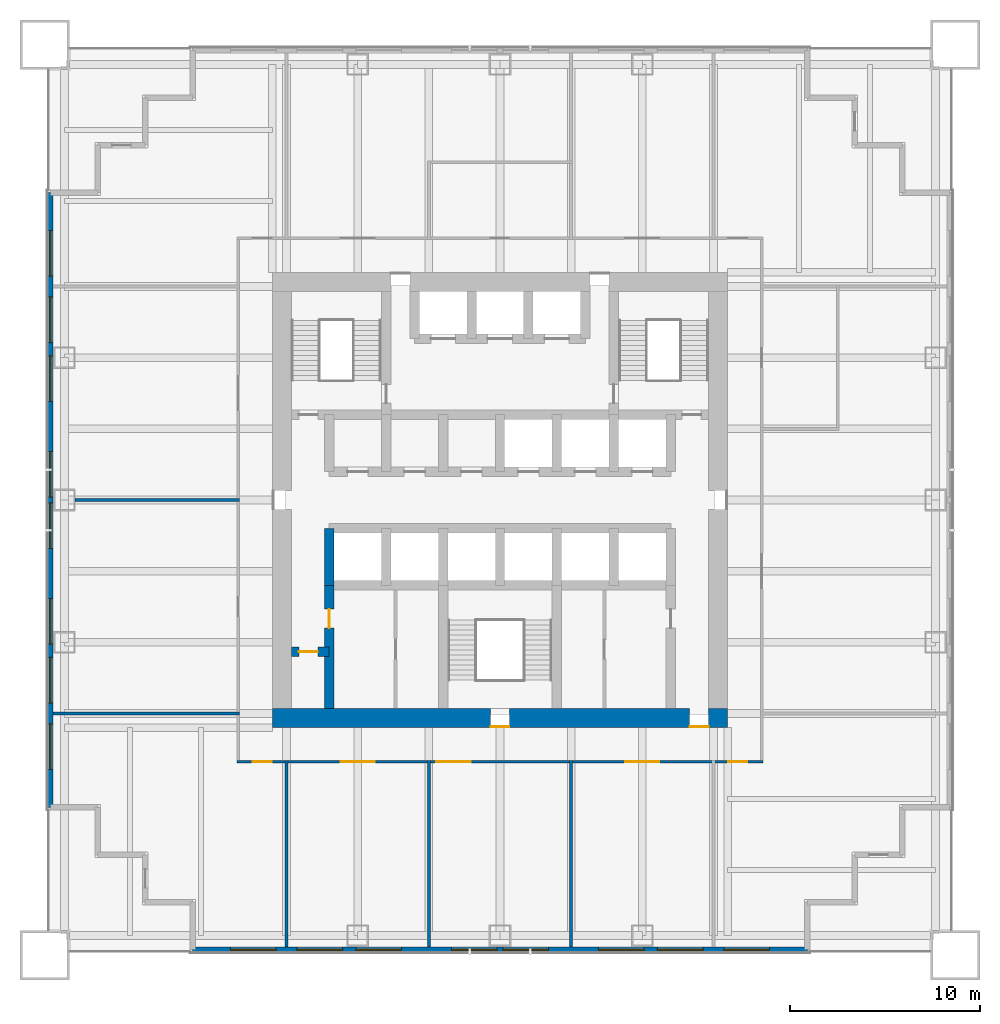
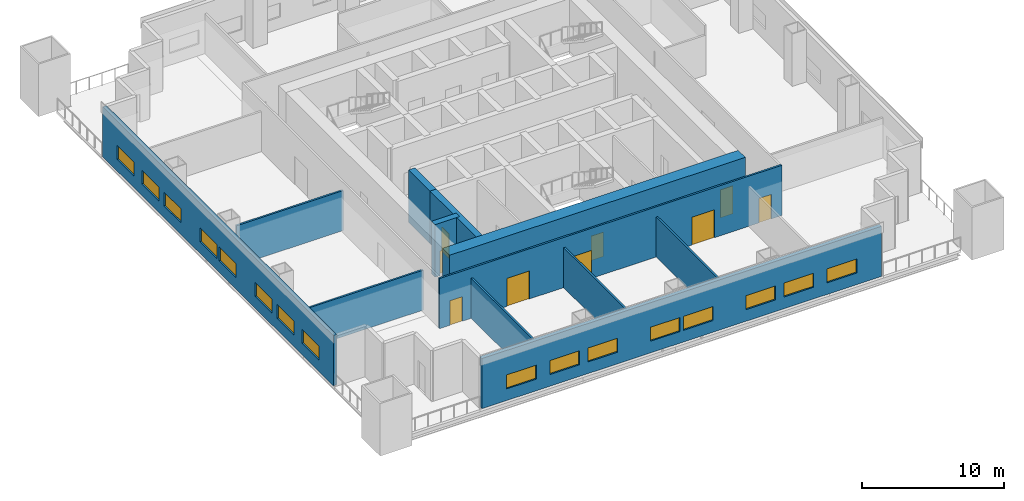
# One storey, part 2 of 7: 16 windows, 12 walls, 9 doors, 25 openings.
"""IFC4 building model written with IfcOpenShell, lengths in metres."""

from ifc_helpers import new_model, si_unit, direction, frame, frame_2d, origin, place, context, subcontext, project, spatial, rectangle, extrude, material, layer, layer_set, type_object, element, fill, save


model = new_model("IFC4")

# Units and contexts
model_context = context("Model", 3, precision=1e-05, world=origin(), true_north=direction((0.0, 1.0)))
body_context = subcontext(model_context, "Body", "Model", "MODEL_VIEW")
ifc_project = project(units=[si_unit("LENGTHUNIT", "METRE"), si_unit("AREAUNIT", "SQUARE_METRE"), si_unit("VOLUMEUNIT", "CUBIC_METRE"), si_unit("PLANEANGLEUNIT", "RADIAN"), si_unit("MASSUNIT", "GRAM", prefix="KILO")], contexts=[model_context])

# Site, building, storey
site_placement = place(None, origin())
site = spatial("IfcSite", under=ifc_project, at=site_placement, CompositionType="ELEMENT")
building_placement = place(site_placement, origin())
building = spatial("IfcBuilding", under=site, at=building_placement, Name="Tarangal Relay Tower", CompositionType="ELEMENT")
storey_placement = place(building_placement, frame((0.0, 0.0, 122.39990234375)))
storey = spatial("IfcBuildingStorey", under=building, at=storey_placement, Name="L24", CompositionType="ELEMENT", Elevation=122.39990234375)

# Wall, opening, door
ifc_material_1 = material(Name="Concrete fc' 60 MPa", Category="concrete")
ifc_layer_1 = layer(ifc_material_1, 0.5)
ifc_layer_set_1 = layer_set([ifc_layer_1], Name="Core inner wall 500")
wall_type_1 = type_object("IfcWallType", Name="Core inner wall 500", PredefinedType="SHEAR", material=ifc_layer_set_1)
wall_1_placement = place(storey_placement, frame((-11.0, -8.0, 0.0), z_axis=(0.0, 0.0, 1.0), x_axis=(1.0, 0.0, 0.0)))
wall_1 = element("IfcWall", 1, at=wall_1_placement, inside=storey, type_object=wall_type_1, Name="Core wall YM8 L24", PredefinedType="SHEAR", context=body_context, shape_type="SweptSolid", body=[
    extrude(rectangle(XDim=2.0, YDim=0.5, at=frame_2d((1.0, 0.0))), origin(), (0.0, 0.0, 1.0), 4.5),
])
opening_1_placement = place(wall_1_placement, frame((0.39990234375, 0.0, 0.0)))
opening_1 = element("IfcOpeningElement", 2, at=opening_1_placement, cuts=wall_1, Name="Opening D1", PredefinedType="OPENING", context=body_context, shape_type="SweptSolid", body=[
    extrude(rectangle(XDim=1.0, YDim=2.10009765625, at=frame_2d((0.5, 1.050048828125))), frame((0.0, 0.260009765625, 0.0), z_axis=(0.0, -1.0, 0.0), x_axis=(1.0, 0.0, 0.0)), (0.0, 0.0, 1.0), 0.52001953125),
])
ifc_material_2 = material(Name="Hardwood door", Category="wood")
door_type_1 = type_object("IfcDoorType", Name="WC door 1000 x 2100", OperationType="SINGLE_SWING_LEFT", PredefinedType="DOOR", material=ifc_material_2)
door_1_placement = place(opening_1_placement, origin())
door_1 = element("IfcDoor", 3, at=door_1_placement, inside=storey, type_object=door_type_1, Name="Accessible WC door L24", OperationType="SINGLE_SWING_LEFT", OverallHeight=2.10009765625, OverallWidth=1.0, PredefinedType="DOOR", context=body_context, shape_type="SweptSolid", body=[
    extrude(rectangle(XDim=1.0, YDim=2.10009765625, at=frame_2d((0.5, 1.050048828125))), frame((0.0, 0.02490234375, 0.0), z_axis=(0.0, -1.0, 0.0), x_axis=(1.0, 0.0, 0.0)), (0.0, 0.0, 1.0), 0.050048828125),
])
fill(opening_1, door_1)

# Wall
wall_2_placement = place(storey_placement, frame((-9.0, -4.5, 0.0), z_axis=(0.0, 0.0, 1.0), x_axis=(0.0, 1.0, 0.0)))
element("IfcWall", 4, at=wall_2_placement, inside=storey, type_object=wall_type_1, Name="Core wall XM9S L24", PredefinedType="SHEAR", context=body_context, shape_type="SweptSolid", body=[
    extrude(rectangle(XDim=3.0, YDim=0.5, at=frame_2d((1.5, 0.0))), origin(), (0.0, 0.0, 1.0), 4.5),
])

# Wall, opening, door
wall_3_placement = place(storey_placement, frame((-9.0, -11.0, 0.0), z_axis=(0.0, 0.0, 1.0), x_axis=(0.0, 1.0, 0.0)))
wall_3 = element("IfcWall", 5, at=wall_3_placement, inside=storey, type_object=wall_type_1, Name="Core wall XM9W L24", PredefinedType="SHEAR", context=body_context, shape_type="SweptSolid", body=[
    extrude(rectangle(XDim=6.5, YDim=0.5, at=frame_2d((3.25, 0.0))), origin(), (0.0, 0.0, 1.0), 4.5),
])
opening_2_placement = place(wall_3_placement, frame((4.25, 0.0, 0.0)))
opening_2 = element("IfcOpeningElement", 6, at=opening_2_placement, cuts=wall_3, Name="Opening D1", PredefinedType="OPENING", context=body_context, shape_type="SweptSolid", body=[
    extrude(rectangle(XDim=1.0, YDim=2.10009765625, at=frame_2d((0.5, 1.050048828125))), frame((0.0, 0.260009765625, 0.0), z_axis=(0.0, -1.0, 0.0), x_axis=(1.0, 0.0, 0.0)), (0.0, 0.0, 1.0), 0.52001953125),
])
door_2_placement = place(opening_2_placement, origin())
door_2 = element("IfcDoor", 7, at=door_2_placement, inside=storey, type_object=door_type_1, Name="Male WC door L24", OperationType="SINGLE_SWING_LEFT", OverallHeight=2.10009765625, OverallWidth=1.0, PredefinedType="DOOR", context=body_context, shape_type="SweptSolid", body=[
    extrude(rectangle(XDim=1.0, YDim=2.10009765625, at=frame_2d((0.5, 1.050048828125))), frame((0.0, 0.02490234375, 0.0), z_axis=(0.0, -1.0, 0.0), x_axis=(1.0, 0.0, 0.0)), (0.0, 0.0, 1.0), 0.050048828125),
])
fill(opening_2, door_2)

# Wall, openings, doors
ifc_layer_2 = layer(ifc_material_1, 1.0)
ifc_layer_set_2 = layer_set([ifc_layer_2], Name="Core wall 1000")
wall_type_2 = type_object("IfcWallType", Name="Core wall 1000", PredefinedType="SHEAR", material=ifc_layer_set_2)
wall_4_placement = place(storey_placement, frame((12.0, -11.5, 0.0), z_axis=(0.0, 0.0, 1.0), x_axis=(-1.0, 0.0, 0.0)))
wall_4 = element("IfcWall", 8, at=wall_4_placement, inside=storey, type_object=wall_type_2, Name="Core wall S L24", PredefinedType="SHEAR", context=body_context, shape_type="SweptSolid", body=[
    extrude(rectangle(XDim=24.0, YDim=1.0, at=frame_2d((12.0, 0.0))), origin(), (0.0, 0.0, 1.0), 4.5),
])
opening_3_placement = place(wall_4_placement, frame((11.5, 0.0, 0.0)))
opening_3 = element("IfcOpeningElement", 9, at=opening_3_placement, cuts=wall_4, Name="Opening FD1", PredefinedType="OPENING", context=body_context, shape_type="SweptSolid", body=[
    extrude(rectangle(XDim=1.0, YDim=2.10009765625, at=frame_2d((0.5, 1.050048828125))), frame((0.0, 0.510009765625, 0.0), z_axis=(0.0, -1.0, 0.0), x_axis=(1.0, 0.0, 0.0)), (0.0, 0.0, 1.0), 1.02001953125),
])
opening_4_placement = place(wall_4_placement, frame((1.0, 0.0, 0.0)))
opening_4 = element("IfcOpeningElement", 10, at=opening_4_placement, cuts=wall_4, Name="Opening FD3", PredefinedType="OPENING", context=body_context, shape_type="SweptSolid", body=[
    extrude(rectangle(XDim=1.0, YDim=2.39990234375, at=frame_2d((0.5, 1.199951171875))), frame((0.0, 0.510009765625, 0.0), z_axis=(0.0, -1.0, 0.0), x_axis=(1.0, 0.0, 0.0)), (0.0, 0.0, 1.0), 1.02001953125),
])
ifc_material_3 = material(Name="Steel door with hardwood frame", Category="steel")
door_type_2 = type_object("IfcDoorType", Name="Fire door 1000 x 2100", OperationType="SINGLE_SWING_LEFT", PredefinedType="DOOR", material=ifc_material_3)
door_3_placement = place(opening_3_placement, origin())
door_3 = element("IfcDoor", 11, at=door_3_placement, inside=storey, type_object=door_type_2, Name="Stair ST-C door L24", OperationType="SINGLE_SWING_LEFT", OverallHeight=2.10009765625, OverallWidth=1.0, PredefinedType="DOOR", context=body_context, shape_type="SweptSolid", body=[
    extrude(rectangle(XDim=1.0, YDim=2.10009765625, at=frame_2d((0.5, 1.050048828125))), frame((0.0, 0.48486328125, 0.0), z_axis=(0.0, -1.0, 0.0), x_axis=(1.0, 0.0, 0.0)), (0.0, 0.0, 1.0), 0.050048828125),
])
fill(opening_3, door_3)
door_type_3 = type_object("IfcDoorType", Name="Fire door 1000 x 2400 core entry", OperationType="SINGLE_SWING_RIGHT", PredefinedType="DOOR", material=ifc_material_3)
door_4_placement = place(opening_4_placement, origin())
door_4 = element("IfcDoor", 12, at=door_4_placement, inside=storey, type_object=door_type_3, Name="Core entry door south east L24", OperationType="SINGLE_SWING_RIGHT", OverallHeight=2.39990234375, OverallWidth=1.0, PredefinedType="DOOR", context=body_context, shape_type="SweptSolid", body=[
    extrude(rectangle(XDim=1.0, YDim=2.39990234375, at=frame_2d((0.5, 1.199951171875))), frame((0.0, 0.48486328125, 0.0), z_axis=(0.0, -1.0, 0.0), x_axis=(1.0, 0.0, 0.0)), (0.0, 0.0, 1.0), 0.050048828125),
])
fill(opening_4, door_4)

# Wall, openings, windows
ifc_material_4 = material(Name="Insulated precast concrete fc' 40 MPa", Category="concrete")
ifc_layer_3 = layer(ifc_material_4, 0.300048828125)
ifc_layer_set_3 = layer_set([ifc_layer_3], Name="Insulated precast concrete fc' 40 MPa")
wall_type_3 = type_object("IfcWallType", Name="Facade wall precast 300", PredefinedType="SOLIDWALL", material=ifc_layer_set_3)
wall_5_placement = place(storey_placement, frame((16.199951171875, -23.699951171875, 0.0), z_axis=(0.0, 0.0, 1.0), x_axis=(-1.0, 0.0, 0.0)))
wall_5 = element("IfcWall", 13, at=wall_5_placement, inside=storey, type_object=wall_type_3, Name="Facade wall S facade L24", PredefinedType="SOLIDWALL", context=body_context, shape_type="SweptSolid", body=[
    extrude(rectangle(XDim=32.39990234375, YDim=0.300048828125, at=frame_2d((16.199951171875, 0.0))), origin(), (0.0, 0.0, 1.0), 4.300048828125),
])
opening_5_placement = place(wall_5_placement, frame((2.0, 0.0, 1.0)))
opening_5 = element("IfcOpeningElement", 14, at=opening_5_placement, cuts=wall_5, Name="Opening WN1", PredefinedType="OPENING", context=body_context, shape_type="SweptSolid", body=[
    extrude(rectangle(XDim=2.39990234375, YDim=1.199951171875, at=frame_2d((1.199951171875, 0.60009765625))), frame((0.0, 0.159912109375, 0.0), z_axis=(0.0, -1.0, 0.0), x_axis=(1.0, 0.0, 0.0)), (0.0, 0.0, 1.0), 0.320068359375),
])
opening_6_placement = place(wall_5_placement, frame((5.5, 0.0, 1.0)))
opening_6 = element("IfcOpeningElement", 15, at=opening_6_placement, cuts=wall_5, Name="Opening WN1", PredefinedType="OPENING", context=body_context, shape_type="SweptSolid", body=[
    extrude(rectangle(XDim=2.39990234375, YDim=1.199951171875, at=frame_2d((1.199951171875, 0.60009765625))), frame((0.0, 0.159912109375, 0.0), z_axis=(0.0, -1.0, 0.0), x_axis=(1.0, 0.0, 0.0)), (0.0, 0.0, 1.0), 0.320068359375),
])
opening_7_placement = place(wall_5_placement, frame((8.60009765625, 0.0, 1.0)))
opening_7 = element("IfcOpeningElement", 16, at=opening_7_placement, cuts=wall_5, Name="Opening WN1", PredefinedType="OPENING", context=body_context, shape_type="SweptSolid", body=[
    extrude(rectangle(XDim=2.39990234375, YDim=1.199951171875, at=frame_2d((1.199951171875, 0.60009765625))), frame((0.0, 0.159912109375, 0.0), z_axis=(0.0, -1.0, 0.0), x_axis=(1.0, 0.0, 0.0)), (0.0, 0.0, 1.0), 0.320068359375),
])
opening_8_placement = place(wall_5_placement, frame((13.64990234375, 0.0, 1.0)))
opening_8 = element("IfcOpeningElement", 17, at=opening_8_placement, cuts=wall_5, Name="Opening WN1", PredefinedType="OPENING", context=body_context, shape_type="SweptSolid", body=[
    extrude(rectangle(XDim=2.39990234375, YDim=1.199951171875, at=frame_2d((1.199951171875, 0.60009765625))), frame((0.0, 0.159912109375, 0.0), z_axis=(0.0, -1.0, 0.0), x_axis=(1.0, 0.0, 0.0)), (0.0, 0.0, 1.0), 0.320068359375),
])
opening_9_placement = place(wall_5_placement, frame((16.35009765625, 0.0, 1.0)))
opening_9 = element("IfcOpeningElement", 18, at=opening_9_placement, cuts=wall_5, Name="Opening WN1", PredefinedType="OPENING", context=body_context, shape_type="SweptSolid", body=[
    extrude(rectangle(XDim=2.39990234375, YDim=1.199951171875, at=frame_2d((1.199951171875, 0.60009765625))), frame((0.0, 0.159912109375, 0.0), z_axis=(0.0, -1.0, 0.0), x_axis=(1.0, 0.0, 0.0)), (0.0, 0.0, 1.0), 0.320068359375),
])
opening_10_placement = place(wall_5_placement, frame((21.39990234375, 0.0, 1.0)))
opening_10 = element("IfcOpeningElement", 19, at=opening_10_placement, cuts=wall_5, Name="Opening WN1", PredefinedType="OPENING", context=body_context, shape_type="SweptSolid", body=[
    extrude(rectangle(XDim=2.39990234375, YDim=1.199951171875, at=frame_2d((1.199951171875, 0.60009765625))), frame((0.0, 0.159912109375, 0.0), z_axis=(0.0, -1.0, 0.0), x_axis=(1.0, 0.0, 0.0)), (0.0, 0.0, 1.0), 0.320068359375),
])
opening_11_placement = place(wall_5_placement, frame((24.5, 0.0, 1.0)))
opening_11 = element("IfcOpeningElement", 20, at=opening_11_placement, cuts=wall_5, Name="Opening WN1", PredefinedType="OPENING", context=body_context, shape_type="SweptSolid", body=[
    extrude(rectangle(XDim=2.39990234375, YDim=1.199951171875, at=frame_2d((1.199951171875, 0.60009765625))), frame((0.0, 0.159912109375, 0.0), z_axis=(0.0, -1.0, 0.0), x_axis=(1.0, 0.0, 0.0)), (0.0, 0.0, 1.0), 0.320068359375),
])
opening_12_placement = place(wall_5_placement, frame((28.0, 0.0, 1.0)))
opening_12 = element("IfcOpeningElement", 21, at=opening_12_placement, cuts=wall_5, Name="Opening WN1", PredefinedType="OPENING", context=body_context, shape_type="SweptSolid", body=[
    extrude(rectangle(XDim=2.39990234375, YDim=1.199951171875, at=frame_2d((1.199951171875, 0.60009765625))), frame((0.0, 0.159912109375, 0.0), z_axis=(0.0, -1.0, 0.0), x_axis=(1.0, 0.0, 0.0)), (0.0, 0.0, 1.0), 0.320068359375),
])
ifc_material_5 = material(Name="Dark tinted double glazing in black aluminium frame", Category="aluminium")
window_type = type_object("IfcWindowType", Name="Ribbon window 2400 x 1200", PartitioningType="SINGLE_PANEL", PredefinedType="WINDOW", material=ifc_material_5)
window_1_placement = place(opening_5_placement, origin())
window_1 = element("IfcWindow", 22, at=window_1_placement, inside=storey, type_object=window_type, Name="Ribbon window WN1 S facade L24", OverallHeight=1.199951171875, OverallWidth=2.39990234375, PartitioningType="SINGLE_PANEL", PredefinedType="WINDOW", context=body_context, shape_type="SweptSolid", body=[
    extrude(rectangle(XDim=2.39990234375, YDim=1.199951171875, at=frame_2d((1.199951171875, 0.60009765625))), frame((0.0, 0.030029296875, 0.0), z_axis=(0.0, -1.0, 0.0), x_axis=(1.0, 0.0, 0.0)), (0.0, 0.0, 1.0), 0.06005859375),
])
fill(opening_5, window_1)
window_2_placement = place(opening_6_placement, origin())
window_2 = element("IfcWindow", 23, at=window_2_placement, inside=storey, type_object=window_type, Name="Ribbon window WN1 S facade L24", OverallHeight=1.199951171875, OverallWidth=2.39990234375, PartitioningType="SINGLE_PANEL", PredefinedType="WINDOW", context=body_context, shape_type="SweptSolid", body=[
    extrude(rectangle(XDim=2.39990234375, YDim=1.199951171875, at=frame_2d((1.199951171875, 0.60009765625))), frame((0.0, 0.030029296875, 0.0), z_axis=(0.0, -1.0, 0.0), x_axis=(1.0, 0.0, 0.0)), (0.0, 0.0, 1.0), 0.06005859375),
])
fill(opening_6, window_2)
window_3_placement = place(opening_7_placement, origin())
window_3 = element("IfcWindow", 24, at=window_3_placement, inside=storey, type_object=window_type, Name="Ribbon window WN1 S facade L24", OverallHeight=1.199951171875, OverallWidth=2.39990234375, PartitioningType="SINGLE_PANEL", PredefinedType="WINDOW", context=body_context, shape_type="SweptSolid", body=[
    extrude(rectangle(XDim=2.39990234375, YDim=1.199951171875, at=frame_2d((1.199951171875, 0.60009765625))), frame((0.0, 0.030029296875, 0.0), z_axis=(0.0, -1.0, 0.0), x_axis=(1.0, 0.0, 0.0)), (0.0, 0.0, 1.0), 0.06005859375),
])
fill(opening_7, window_3)
window_4_placement = place(opening_8_placement, origin())
window_4 = element("IfcWindow", 25, at=window_4_placement, inside=storey, type_object=window_type, Name="Ribbon window WN1 S facade L24", OverallHeight=1.199951171875, OverallWidth=2.39990234375, PartitioningType="SINGLE_PANEL", PredefinedType="WINDOW", context=body_context, shape_type="SweptSolid", body=[
    extrude(rectangle(XDim=2.39990234375, YDim=1.199951171875, at=frame_2d((1.199951171875, 0.60009765625))), frame((0.0, 0.030029296875, 0.0), z_axis=(0.0, -1.0, 0.0), x_axis=(1.0, 0.0, 0.0)), (0.0, 0.0, 1.0), 0.06005859375),
])
fill(opening_8, window_4)
window_5_placement = place(opening_9_placement, origin())
window_5 = element("IfcWindow", 26, at=window_5_placement, inside=storey, type_object=window_type, Name="Ribbon window WN1 S facade L24", OverallHeight=1.199951171875, OverallWidth=2.39990234375, PartitioningType="SINGLE_PANEL", PredefinedType="WINDOW", context=body_context, shape_type="SweptSolid", body=[
    extrude(rectangle(XDim=2.39990234375, YDim=1.199951171875, at=frame_2d((1.199951171875, 0.60009765625))), frame((0.0, 0.030029296875, 0.0), z_axis=(0.0, -1.0, 0.0), x_axis=(1.0, 0.0, 0.0)), (0.0, 0.0, 1.0), 0.06005859375),
])
fill(opening_9, window_5)
window_6_placement = place(opening_10_placement, origin())
window_6 = element("IfcWindow", 27, at=window_6_placement, inside=storey, type_object=window_type, Name="Ribbon window WN1 S facade L24", OverallHeight=1.199951171875, OverallWidth=2.39990234375, PartitioningType="SINGLE_PANEL", PredefinedType="WINDOW", context=body_context, shape_type="SweptSolid", body=[
    extrude(rectangle(XDim=2.39990234375, YDim=1.199951171875, at=frame_2d((1.199951171875, 0.60009765625))), frame((0.0, 0.030029296875, 0.0), z_axis=(0.0, -1.0, 0.0), x_axis=(1.0, 0.0, 0.0)), (0.0, 0.0, 1.0), 0.06005859375),
])
fill(opening_10, window_6)
window_7_placement = place(opening_11_placement, origin())
window_7 = element("IfcWindow", 28, at=window_7_placement, inside=storey, type_object=window_type, Name="Ribbon window WN1 S facade L24", OverallHeight=1.199951171875, OverallWidth=2.39990234375, PartitioningType="SINGLE_PANEL", PredefinedType="WINDOW", context=body_context, shape_type="SweptSolid", body=[
    extrude(rectangle(XDim=2.39990234375, YDim=1.199951171875, at=frame_2d((1.199951171875, 0.60009765625))), frame((0.0, 0.030029296875, 0.0), z_axis=(0.0, -1.0, 0.0), x_axis=(1.0, 0.0, 0.0)), (0.0, 0.0, 1.0), 0.06005859375),
])
fill(opening_11, window_7)
window_8_placement = place(opening_12_placement, origin())
window_8 = element("IfcWindow", 29, at=window_8_placement, inside=storey, type_object=window_type, Name="Ribbon window WN1 S facade L24", OverallHeight=1.199951171875, OverallWidth=2.39990234375, PartitioningType="SINGLE_PANEL", PredefinedType="WINDOW", context=body_context, shape_type="SweptSolid", body=[
    extrude(rectangle(XDim=2.39990234375, YDim=1.199951171875, at=frame_2d((1.199951171875, 0.60009765625))), frame((0.0, 0.030029296875, 0.0), z_axis=(0.0, -1.0, 0.0), x_axis=(1.0, 0.0, 0.0)), (0.0, 0.0, 1.0), 0.06005859375),
])
fill(opening_12, window_8)

wall_6_placement = place(storey_placement, frame((-23.699951171875, -16.199951171875, 0.0), z_axis=(0.0, 0.0, 1.0), x_axis=(0.0, 1.0, 0.0)))
wall_6 = element("IfcWall", 30, at=wall_6_placement, inside=storey, type_object=wall_type_3, Name="Facade wall W facade L24", PredefinedType="SOLIDWALL", context=body_context, shape_type="SweptSolid", body=[
    extrude(rectangle(XDim=32.39990234375, YDim=0.300048828125, at=frame_2d((16.199951171875, 0.0))), origin(), (0.0, 0.0, 1.0), 4.300048828125),
])
opening_13_placement = place(wall_6_placement, frame((2.0, 0.0, 1.0)))
opening_13 = element("IfcOpeningElement", 31, at=opening_13_placement, cuts=wall_6, Name="Opening WN1", PredefinedType="OPENING", context=body_context, shape_type="SweptSolid", body=[
    extrude(rectangle(XDim=2.39990234375, YDim=1.199951171875, at=frame_2d((1.199951171875, 0.60009765625))), frame((0.0, 0.159912109375, 0.0), z_axis=(0.0, -1.0, 0.0), x_axis=(1.0, 0.0, 0.0)), (0.0, 0.0, 1.0), 0.320068359375),
])
opening_14_placement = place(wall_6_placement, frame((5.5, 0.0, 1.0)))
opening_14 = element("IfcOpeningElement", 32, at=opening_14_placement, cuts=wall_6, Name="Opening WN1", PredefinedType="OPENING", context=body_context, shape_type="SweptSolid", body=[
    extrude(rectangle(XDim=2.39990234375, YDim=1.199951171875, at=frame_2d((1.199951171875, 0.60009765625))), frame((0.0, 0.159912109375, 0.0), z_axis=(0.0, -1.0, 0.0), x_axis=(1.0, 0.0, 0.0)), (0.0, 0.0, 1.0), 0.320068359375),
])
opening_15_placement = place(wall_6_placement, frame((8.60009765625, 0.0, 1.0)))
opening_15 = element("IfcOpeningElement", 33, at=opening_15_placement, cuts=wall_6, Name="Opening WN1", PredefinedType="OPENING", context=body_context, shape_type="SweptSolid", body=[
    extrude(rectangle(XDim=2.39990234375, YDim=1.199951171875, at=frame_2d((1.199951171875, 0.60009765625))), frame((0.0, 0.159912109375, 0.0), z_axis=(0.0, -1.0, 0.0), x_axis=(1.0, 0.0, 0.0)), (0.0, 0.0, 1.0), 0.320068359375),
])
opening_16_placement = place(wall_6_placement, frame((13.64990234375, 0.0, 1.0)))
opening_16 = element("IfcOpeningElement", 34, at=opening_16_placement, cuts=wall_6, Name="Opening WN1", PredefinedType="OPENING", context=body_context, shape_type="SweptSolid", body=[
    extrude(rectangle(XDim=2.39990234375, YDim=1.199951171875, at=frame_2d((1.199951171875, 0.60009765625))), frame((0.0, 0.159912109375, 0.0), z_axis=(0.0, -1.0, 0.0), x_axis=(1.0, 0.0, 0.0)), (0.0, 0.0, 1.0), 0.320068359375),
])
opening_17_placement = place(wall_6_placement, frame((16.35009765625, 0.0, 1.0)))
opening_17 = element("IfcOpeningElement", 35, at=opening_17_placement, cuts=wall_6, Name="Opening WN1", PredefinedType="OPENING", context=body_context, shape_type="SweptSolid", body=[
    extrude(rectangle(XDim=2.39990234375, YDim=1.199951171875, at=frame_2d((1.199951171875, 0.60009765625))), frame((0.0, 0.159912109375, 0.0), z_axis=(0.0, -1.0, 0.0), x_axis=(1.0, 0.0, 0.0)), (0.0, 0.0, 1.0), 0.320068359375),
])
opening_18_placement = place(wall_6_placement, frame((21.39990234375, 0.0, 1.0)))
opening_18 = element("IfcOpeningElement", 36, at=opening_18_placement, cuts=wall_6, Name="Opening WN1", PredefinedType="OPENING", context=body_context, shape_type="SweptSolid", body=[
    extrude(rectangle(XDim=2.39990234375, YDim=1.199951171875, at=frame_2d((1.199951171875, 0.60009765625))), frame((0.0, 0.159912109375, 0.0), z_axis=(0.0, -1.0, 0.0), x_axis=(1.0, 0.0, 0.0)), (0.0, 0.0, 1.0), 0.320068359375),
])
opening_19_placement = place(wall_6_placement, frame((24.5, 0.0, 1.0)))
opening_19 = element("IfcOpeningElement", 37, at=opening_19_placement, cuts=wall_6, Name="Opening WN1", PredefinedType="OPENING", context=body_context, shape_type="SweptSolid", body=[
    extrude(rectangle(XDim=2.39990234375, YDim=1.199951171875, at=frame_2d((1.199951171875, 0.60009765625))), frame((0.0, 0.159912109375, 0.0), z_axis=(0.0, -1.0, 0.0), x_axis=(1.0, 0.0, 0.0)), (0.0, 0.0, 1.0), 0.320068359375),
])
opening_20_placement = place(wall_6_placement, frame((28.0, 0.0, 1.0)))
opening_20 = element("IfcOpeningElement", 38, at=opening_20_placement, cuts=wall_6, Name="Opening WN1", PredefinedType="OPENING", context=body_context, shape_type="SweptSolid", body=[
    extrude(rectangle(XDim=2.39990234375, YDim=1.199951171875, at=frame_2d((1.199951171875, 0.60009765625))), frame((0.0, 0.159912109375, 0.0), z_axis=(0.0, -1.0, 0.0), x_axis=(1.0, 0.0, 0.0)), (0.0, 0.0, 1.0), 0.320068359375),
])
window_9_placement = place(opening_13_placement, origin())
window_9 = element("IfcWindow", 39, at=window_9_placement, inside=storey, type_object=window_type, Name="Ribbon window WN1 W facade L24", OverallHeight=1.199951171875, OverallWidth=2.39990234375, PartitioningType="SINGLE_PANEL", PredefinedType="WINDOW", context=body_context, shape_type="SweptSolid", body=[
    extrude(rectangle(XDim=2.39990234375, YDim=1.199951171875, at=frame_2d((1.199951171875, 0.60009765625))), frame((0.0, 0.030029296875, 0.0), z_axis=(0.0, -1.0, 0.0), x_axis=(1.0, 0.0, 0.0)), (0.0, 0.0, 1.0), 0.06005859375),
])
fill(opening_13, window_9)
window_10_placement = place(opening_14_placement, origin())
window_10 = element("IfcWindow", 40, at=window_10_placement, inside=storey, type_object=window_type, Name="Ribbon window WN1 W facade L24", OverallHeight=1.199951171875, OverallWidth=2.39990234375, PartitioningType="SINGLE_PANEL", PredefinedType="WINDOW", context=body_context, shape_type="SweptSolid", body=[
    extrude(rectangle(XDim=2.39990234375, YDim=1.199951171875, at=frame_2d((1.199951171875, 0.60009765625))), frame((0.0, 0.030029296875, 0.0), z_axis=(0.0, -1.0, 0.0), x_axis=(1.0, 0.0, 0.0)), (0.0, 0.0, 1.0), 0.06005859375),
])
fill(opening_14, window_10)
window_11_placement = place(opening_15_placement, origin())
window_11 = element("IfcWindow", 41, at=window_11_placement, inside=storey, type_object=window_type, Name="Ribbon window WN1 W facade L24", OverallHeight=1.199951171875, OverallWidth=2.39990234375, PartitioningType="SINGLE_PANEL", PredefinedType="WINDOW", context=body_context, shape_type="SweptSolid", body=[
    extrude(rectangle(XDim=2.39990234375, YDim=1.199951171875, at=frame_2d((1.199951171875, 0.60009765625))), frame((0.0, 0.030029296875, 0.0), z_axis=(0.0, -1.0, 0.0), x_axis=(1.0, 0.0, 0.0)), (0.0, 0.0, 1.0), 0.06005859375),
])
fill(opening_15, window_11)
window_12_placement = place(opening_16_placement, origin())
window_12 = element("IfcWindow", 42, at=window_12_placement, inside=storey, type_object=window_type, Name="Ribbon window WN1 W facade L24", OverallHeight=1.199951171875, OverallWidth=2.39990234375, PartitioningType="SINGLE_PANEL", PredefinedType="WINDOW", context=body_context, shape_type="SweptSolid", body=[
    extrude(rectangle(XDim=2.39990234375, YDim=1.199951171875, at=frame_2d((1.199951171875, 0.60009765625))), frame((0.0, 0.030029296875, 0.0), z_axis=(0.0, -1.0, 0.0), x_axis=(1.0, 0.0, 0.0)), (0.0, 0.0, 1.0), 0.06005859375),
])
fill(opening_16, window_12)
window_13_placement = place(opening_17_placement, origin())
window_13 = element("IfcWindow", 43, at=window_13_placement, inside=storey, type_object=window_type, Name="Ribbon window WN1 W facade L24", OverallHeight=1.199951171875, OverallWidth=2.39990234375, PartitioningType="SINGLE_PANEL", PredefinedType="WINDOW", context=body_context, shape_type="SweptSolid", body=[
    extrude(rectangle(XDim=2.39990234375, YDim=1.199951171875, at=frame_2d((1.199951171875, 0.60009765625))), frame((0.0, 0.030029296875, 0.0), z_axis=(0.0, -1.0, 0.0), x_axis=(1.0, 0.0, 0.0)), (0.0, 0.0, 1.0), 0.06005859375),
])
fill(opening_17, window_13)
window_14_placement = place(opening_18_placement, origin())
window_14 = element("IfcWindow", 44, at=window_14_placement, inside=storey, type_object=window_type, Name="Ribbon window WN1 W facade L24", OverallHeight=1.199951171875, OverallWidth=2.39990234375, PartitioningType="SINGLE_PANEL", PredefinedType="WINDOW", context=body_context, shape_type="SweptSolid", body=[
    extrude(rectangle(XDim=2.39990234375, YDim=1.199951171875, at=frame_2d((1.199951171875, 0.60009765625))), frame((0.0, 0.030029296875, 0.0), z_axis=(0.0, -1.0, 0.0), x_axis=(1.0, 0.0, 0.0)), (0.0, 0.0, 1.0), 0.06005859375),
])
fill(opening_18, window_14)
window_15_placement = place(opening_19_placement, origin())
window_15 = element("IfcWindow", 45, at=window_15_placement, inside=storey, type_object=window_type, Name="Ribbon window WN1 W facade L24", OverallHeight=1.199951171875, OverallWidth=2.39990234375, PartitioningType="SINGLE_PANEL", PredefinedType="WINDOW", context=body_context, shape_type="SweptSolid", body=[
    extrude(rectangle(XDim=2.39990234375, YDim=1.199951171875, at=frame_2d((1.199951171875, 0.60009765625))), frame((0.0, 0.030029296875, 0.0), z_axis=(0.0, -1.0, 0.0), x_axis=(1.0, 0.0, 0.0)), (0.0, 0.0, 1.0), 0.06005859375),
])
fill(opening_19, window_15)
window_16_placement = place(opening_20_placement, origin())
window_16 = element("IfcWindow", 46, at=window_16_placement, inside=storey, type_object=window_type, Name="Ribbon window WN1 W facade L24", OverallHeight=1.199951171875, OverallWidth=2.39990234375, PartitioningType="SINGLE_PANEL", PredefinedType="WINDOW", context=body_context, shape_type="SweptSolid", body=[
    extrude(rectangle(XDim=2.39990234375, YDim=1.199951171875, at=frame_2d((1.199951171875, 0.60009765625))), frame((0.0, 0.030029296875, 0.0), z_axis=(0.0, -1.0, 0.0), x_axis=(1.0, 0.0, 0.0)), (0.0, 0.0, 1.0), 0.06005859375),
])
fill(opening_20, window_16)

# Wall, openings, doors
ifc_material_6 = material(Name="Gypsum board on steel studs", Category="steel")
ifc_layer_4 = layer(ifc_material_6, 0.14990234375)
ifc_layer_set_4 = layer_set([ifc_layer_4], Name="Partition 150")
wall_type_4 = type_object("IfcWallType", Name="Partition 150", PredefinedType="PARTITIONING", material=ifc_layer_set_4)
wall_7_placement = place(storey_placement, frame((-13.875, -13.800048828125, 0.0), z_axis=(0.0, 0.0, 1.0), x_axis=(1.0, 0.0, 0.0)))
wall_7 = element("IfcWall", 47, at=wall_7_placement, inside=storey, type_object=wall_type_4, Name="Partition PT1 L24", PredefinedType="PARTITIONING", context=body_context, shape_type="SweptSolid", body=[
    extrude(rectangle(XDim=27.75, YDim=0.14990234375, at=frame_2d((13.875, 0.0))), origin(), (0.0, 0.0, 1.0), 4.300048828125),
])
opening_21_placement = place(wall_7_placement, frame((20.47509765625, 0.0, 0.0)))
opening_21 = element("IfcOpeningElement", 48, at=opening_21_placement, cuts=wall_7, Name="Opening DD1", PredefinedType="OPENING", context=body_context, shape_type="SweptSolid", body=[
    extrude(rectangle(XDim=1.800048828125, YDim=2.39990234375, at=frame_2d((0.89990234375, 1.199951171875))), frame((0.0, 0.0849609375, 0.0), z_axis=(0.0, -1.0, 0.0), x_axis=(1.0, 0.0, 0.0)), (0.0, 0.0, 1.0), 0.169921875),
])
opening_22_placement = place(wall_7_placement, frame((10.52490234375, 0.0, 0.0)))
opening_22 = element("IfcOpeningElement", 49, at=opening_22_placement, cuts=wall_7, Name="Opening DD1", PredefinedType="OPENING", context=body_context, shape_type="SweptSolid", body=[
    extrude(rectangle(XDim=1.800048828125, YDim=2.39990234375, at=frame_2d((0.89990234375, 1.199951171875))), frame((0.0, 0.0849609375, 0.0), z_axis=(0.0, -1.0, 0.0), x_axis=(1.0, 0.0, 0.0)), (0.0, 0.0, 1.0), 0.169921875),
])
opening_23_placement = place(wall_7_placement, frame((5.47509765625, 0.0, 0.0)))
opening_23 = element("IfcOpeningElement", 50, at=opening_23_placement, cuts=wall_7, Name="Opening DD1", PredefinedType="OPENING", context=body_context, shape_type="SweptSolid", body=[
    extrude(rectangle(XDim=1.800048828125, YDim=2.39990234375, at=frame_2d((0.89990234375, 1.199951171875))), frame((0.0, 0.0849609375, 0.0), z_axis=(0.0, -1.0, 0.0), x_axis=(1.0, 0.0, 0.0)), (0.0, 0.0, 1.0), 0.169921875),
])
opening_24_placement = place(wall_7_placement, frame((25.89990234375, 0.0, 0.0)))
opening_24 = element("IfcOpeningElement", 51, at=opening_24_placement, cuts=wall_7, Name="Opening D2", PredefinedType="OPENING", context=body_context, shape_type="SweptSolid", body=[
    extrude(rectangle(XDim=1.0, YDim=2.10009765625, at=frame_2d((0.5, 1.050048828125))), frame((0.0, 0.0849609375, 0.0), z_axis=(0.0, -1.0, 0.0), x_axis=(1.0, 0.0, 0.0)), (0.0, 0.0, 1.0), 0.169921875),
])
opening_25_placement = place(wall_7_placement, frame((0.85009765625, 0.0, 0.0)))
opening_25 = element("IfcOpeningElement", 52, at=opening_25_placement, cuts=wall_7, Name="Opening D2", PredefinedType="OPENING", context=body_context, shape_type="SweptSolid", body=[
    extrude(rectangle(XDim=1.0, YDim=2.10009765625, at=frame_2d((0.5, 1.050048828125))), frame((0.0, 0.0849609375, 0.0), z_axis=(0.0, -1.0, 0.0), x_axis=(1.0, 0.0, 0.0)), (0.0, 0.0, 1.0), 0.169921875),
])
door_type_4 = type_object("IfcDoorType", Name="Door 1000 x 2100", OperationType="SINGLE_SWING_LEFT", PredefinedType="DOOR", material=ifc_material_2)
door_5_placement = place(opening_24_placement, origin())
door_5 = element("IfcDoor", 53, at=door_5_placement, inside=storey, type_object=door_type_4, Name="Door D2 to engineering office L24-13", OperationType="SINGLE_SWING_LEFT", OverallHeight=2.10009765625, OverallWidth=1.0, PredefinedType="DOOR", context=body_context, shape_type="SweptSolid", body=[
    extrude(rectangle(XDim=1.0, YDim=2.10009765625, at=frame_2d((0.5, 1.050048828125))), frame((0.0, 0.02490234375, 0.0), z_axis=(0.0, -1.0, 0.0), x_axis=(1.0, 0.0, 0.0)), (0.0, 0.0, 1.0), 0.050048828125),
])
fill(opening_24, door_5)
door_6_placement = place(opening_25_placement, origin())
door_6 = element("IfcDoor", 54, at=door_6_placement, inside=storey, type_object=door_type_4, Name="Door D2 to security office L24-14", OperationType="SINGLE_SWING_LEFT", OverallHeight=2.10009765625, OverallWidth=1.0, PredefinedType="DOOR", context=body_context, shape_type="SweptSolid", body=[
    extrude(rectangle(XDim=1.0, YDim=2.10009765625, at=frame_2d((0.5, 1.050048828125))), frame((0.0, 0.02490234375, 0.0), z_axis=(0.0, -1.0, 0.0), x_axis=(1.0, 0.0, 0.0)), (0.0, 0.0, 1.0), 0.050048828125),
])
fill(opening_25, door_6)
door_type_5 = type_object("IfcDoorType", Name="Equipment double door 1800 x 2400", OperationType="DOUBLE_DOOR_SINGLE_SWING", PredefinedType="DOOR", material=ifc_material_3)
door_7_placement = place(opening_21_placement, origin())
door_7 = element("IfcDoor", 55, at=door_7_placement, inside=storey, type_object=door_type_5, Name="Door DD1 to rectifier and battery room L24-07", OperationType="DOUBLE_DOOR_SINGLE_SWING", OverallHeight=2.39990234375, OverallWidth=1.800048828125, PredefinedType="DOOR", context=body_context, shape_type="SweptSolid", body=[
    extrude(rectangle(XDim=1.800048828125, YDim=2.39990234375, at=frame_2d((0.89990234375, 1.199951171875))), frame((0.0, 0.02490234375, 0.0), z_axis=(0.0, -1.0, 0.0), x_axis=(1.0, 0.0, 0.0)), (0.0, 0.0, 1.0), 0.050048828125),
])
fill(opening_21, door_7)
door_8_placement = place(opening_22_placement, origin())
door_8 = element("IfcDoor", 56, at=door_8_placement, inside=storey, type_object=door_type_5, Name="Door DD1 to electrical room L24-08", OperationType="DOUBLE_DOOR_SINGLE_SWING", OverallHeight=2.39990234375, OverallWidth=1.800048828125, PredefinedType="DOOR", context=body_context, shape_type="SweptSolid", body=[
    extrude(rectangle(XDim=1.800048828125, YDim=2.39990234375, at=frame_2d((0.89990234375, 1.199951171875))), frame((0.0, 0.02490234375, 0.0), z_axis=(0.0, -1.0, 0.0), x_axis=(1.0, 0.0, 0.0)), (0.0, 0.0, 1.0), 0.050048828125),
])
fill(opening_22, door_8)
door_9_placement = place(opening_23_placement, origin())
door_9 = element("IfcDoor", 57, at=door_9_placement, inside=storey, type_object=door_type_5, Name="Door DD1 to fibre distribution room L24-09", OperationType="DOUBLE_DOOR_SINGLE_SWING", OverallHeight=2.39990234375, OverallWidth=1.800048828125, PredefinedType="DOOR", context=body_context, shape_type="SweptSolid", body=[
    extrude(rectangle(XDim=1.800048828125, YDim=2.39990234375, at=frame_2d((0.89990234375, 1.199951171875))), frame((0.0, 0.02490234375, 0.0), z_axis=(0.0, -1.0, 0.0), x_axis=(1.0, 0.0, 0.0)), (0.0, 0.0, 1.0), 0.050048828125),
])
fill(opening_23, door_9)

# Walls
wall_8_placement = place(storey_placement, frame((-23.550048828125, -11.25, 0.0), z_axis=(0.0, 0.0, 1.0), x_axis=(1.0, 0.0, 0.0)))
element("IfcWall", 58, at=wall_8_placement, inside=storey, type_object=wall_type_4, Name="Partition PT1 L24", PredefinedType="PARTITIONING", context=body_context, shape_type="SweptSolid", body=[
    extrude(rectangle(XDim=9.824951171875, YDim=0.14990234375, at=frame_2d((4.91259765625, 0.0))), origin(), (0.0, 0.0, 1.0), 3.431396484375),
])
wall_9_placement = place(storey_placement, frame((-22.389892578125, 0.0, 0.0), z_axis=(0.0, 0.0, 1.0), x_axis=(1.0, 0.0, 0.0)))
element("IfcWall", 59, at=wall_9_placement, inside=storey, type_object=wall_type_4, Name="Partition PT1 L24", PredefinedType="PARTITIONING", context=body_context, shape_type="SweptSolid", body=[
    extrude(rectangle(XDim=8.664794921875, YDim=0.14990234375, at=frame_2d((4.33251953125, 0.0))), origin(), (0.0, 0.0, 1.0), 3.431396484375),
])
for number, where, z_axis, x_axis, name in (
    (60, (-11.25, -23.550048828125, 0.0), (0.0, 0.0, 1.0), (0.0, 1.0, 0.0), "Partition PT1 L24"),
    (61, (-3.75, -23.550048828125, 0.0), (0.0, 0.0, 1.0), (0.0, 1.0, 0.0), "Partition PT1 L24"),
    (62, (3.75, -23.550048828125, 0.0), (0.0, 0.0, 1.0), (0.0, 1.0, 0.0), "Partition PT1 L24"),
):
    element("IfcWall", number, at=place(storey_placement, frame(where, z_axis=z_axis, x_axis=x_axis)), inside=storey, type_object=wall_type_4, Name=name, PredefinedType="PARTITIONING", context=body_context, shape_type="SweptSolid", body=[
        extrude(rectangle(XDim=9.824951171875, YDim=0.14990234375, at=frame_2d((4.91259765625, 0.0))), origin(), (0.0, 0.0, 1.0), 3.431396484375),
    ])

save(model, "model.ifc")
